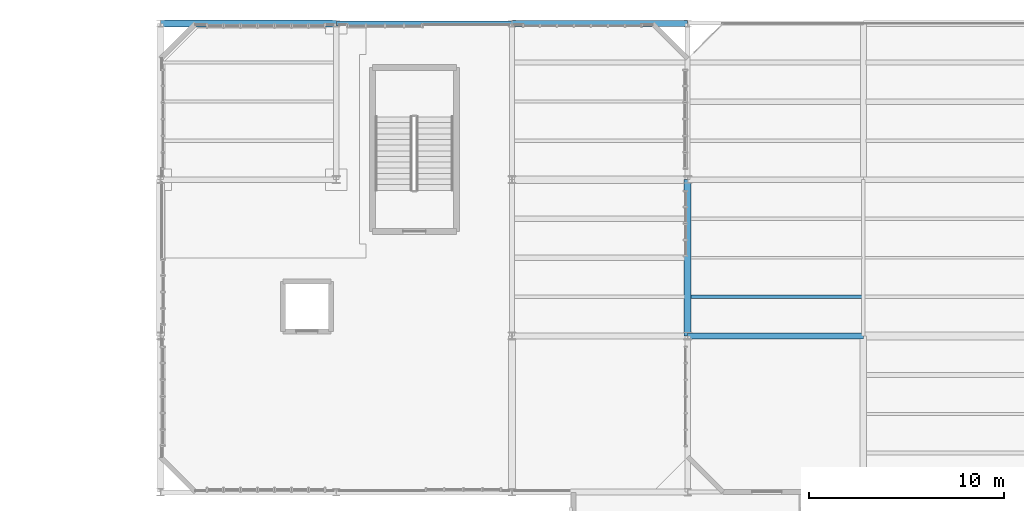
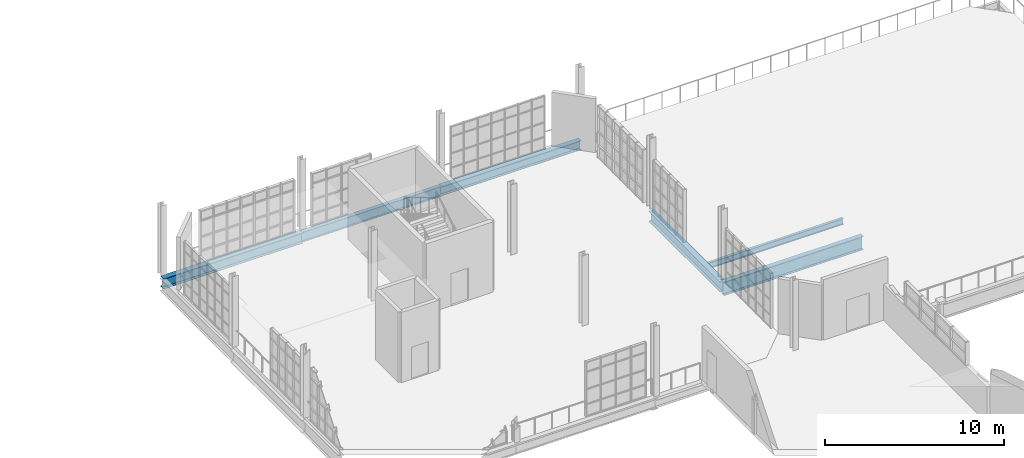
# One storey, part 51 of 85: 6 beams.
"""IFC4 building model written with IfcOpenShell, lengths in metres."""

from ifc_helpers import new_model, si_unit, direction, frame, origin, origin_2d, place, context, subcontext, project, spatial, i_section, extrude, material, material_profile, profile_set, type_object, element, save


model = new_model("IFC4")

# Units and contexts
model_context = context("Model", 3, precision=1e-05, world=origin(), true_north=direction((0.0, 1.0)))
body_context = subcontext(model_context, "Body", "Model", "MODEL_VIEW")
ifc_project = project(units=[si_unit("LENGTHUNIT", "METRE"), si_unit("AREAUNIT", "SQUARE_METRE"), si_unit("VOLUMEUNIT", "CUBIC_METRE"), si_unit("PLANEANGLEUNIT", "RADIAN"), si_unit("MASSUNIT", "GRAM", prefix="KILO"), si_unit("THERMODYNAMICTEMPERATUREUNIT", "KELVIN"), si_unit("POWERUNIT", "WATT")], contexts=[model_context])

# Site, building, storey
site_placement = place(None, origin())
site = spatial("IfcSite", under=ifc_project, at=site_placement, CompositionType="ELEMENT")
building_placement = place(site_placement, origin())
building = spatial("IfcBuilding", under=site, at=building_placement, Name="Zelmaris Science Centre", CompositionType="ELEMENT")
storey_placement = place(building_placement, frame((0.0, 0.0, 20.39990234375)))
storey = spatial("IfcBuildingStorey", under=building, at=storey_placement, Name="L04", CompositionType="ELEMENT", Elevation=20.39990234375)

# Beams
ifc_material = material(Name="Steel ASTM A992 Grade 50", Category="steel")
ifc_material_profile_1 = material_profile(ifc_material, i_section(OverallWidth=0.304931640625, OverallDepth=0.912109375, WebThickness=0.015869140625, FlangeThickness=0.02392578125, FilletRadius=0.02392578125, at=origin_2d()), Name="W36X150")
ifc_profile_set_1 = profile_set([ifc_material_profile_1], Name="Steel ASTM A992 Grade 50")
beam_type_1 = type_object("IfcBeamType", Name="Beam G-27 W36X150", PredefinedType="BEAM", material=ifc_profile_set_1)
beam_1_placement = place(storey_placement, frame((81.0, 72.0, -0.705810546875), z_axis=(1.0, 0.0, 0.0), x_axis=(0.0, 1.0, 0.0)))
element("IfcBeam", 1, at=beam_1_placement, inside=storey, type_object=beam_type_1, Name="L04 East-west girder 853", PredefinedType="BEAM", context=body_context, shape_type="SweptSolid", body=[
    extrude(i_section(OverallWidth=0.304931640625, OverallDepth=0.912109375, WebThickness=0.015869140625, FlangeThickness=0.02392578125, FilletRadius=0.02392578125, at=origin_2d()), origin(), (0.0, 0.0, 1.0), 9.0),
])
ifc_material_profile_2 = material_profile(ifc_material, i_section(OverallWidth=0.35595703125, OverallDepth=0.700927734375, WebThickness=0.016845703125, FlangeThickness=0.02734375, FilletRadius=0.01806640625, at=origin_2d()), Name="W27X161")
ifc_profile_set_2 = profile_set([ifc_material_profile_2], Name="Steel ASTM A992 Grade 50")
beam_type_2 = type_object("IfcBeamType", Name="Beam G-35 W27X161", PredefinedType="BEAM", material=ifc_profile_set_2)
beam_2_placement = place(storey_placement, frame((81.0, 72.0, -0.600341796875), z_axis=(0.0, 1.0, 0.0), x_axis=(-1.0, 0.0, 0.0)))
element("IfcBeam", 2, at=beam_2_placement, inside=storey, type_object=beam_type_2, Name="L04 North-south girder 830", PredefinedType="BEAM", context=body_context, shape_type="SweptSolid", body=[
    extrude(i_section(OverallWidth=0.35595703125, OverallDepth=0.700927734375, WebThickness=0.016845703125, FlangeThickness=0.02734375, FilletRadius=0.01806640625, at=origin_2d()), origin(), (0.0, 0.0, 1.0), 8.0),
])
beam_3_placement = place(storey_placement, frame((54.0, 88.0, -0.600341796875), z_axis=(1.0, 0.0, 0.0), x_axis=(0.0, 1.0, 0.0)))
element("IfcBeam", 3, at=beam_3_placement, inside=storey, type_object=beam_type_2, Name="L04 East-west girder 861", PredefinedType="BEAM", context=body_context, shape_type="SweptSolid", body=[
    extrude(i_section(OverallWidth=0.35595703125, OverallDepth=0.700927734375, WebThickness=0.016845703125, FlangeThickness=0.02734375, FilletRadius=0.01806640625, at=origin_2d()), origin(), (0.0, 0.0, 1.0), 9.0),
])
ifc_material_profile_3 = material_profile(ifc_material, i_section(OverallWidth=0.25390625, OverallDepth=0.677978515625, WebThickness=0.01171875, FlangeThickness=0.016357421875, FilletRadius=0.01806640625, at=origin_2d()), Name="W27X84")
ifc_profile_set_3 = profile_set([ifc_material_profile_3], Name="Steel ASTM A992 Grade 50")
beam_type_3 = type_object("IfcBeamType", Name="Beam G-36 W27X84", PredefinedType="BEAM", material=ifc_profile_set_3)
beam_4_placement = place(storey_placement, frame((63.0, 88.0, -0.5888671875), z_axis=(1.0, 0.0, 0.0), x_axis=(0.0, 1.0, 0.0)))
element("IfcBeam", 4, at=beam_4_placement, inside=storey, type_object=beam_type_3, Name="L04 East-west girder 862", PredefinedType="BEAM", context=body_context, shape_type="SweptSolid", body=[
    extrude(i_section(OverallWidth=0.25390625, OverallDepth=0.677978515625, WebThickness=0.01171875, FlangeThickness=0.016357421875, FilletRadius=0.01806640625, at=origin_2d()), origin(), (0.0, 0.0, 1.0), 9.0),
])
ifc_material_profile_4 = material_profile(ifc_material, i_section(OverallWidth=0.327880859375, OverallDepth=0.626953125, WebThickness=0.0166015625, FlangeThickness=0.027587890625, FilletRadius=0.014892578125, at=origin_2d()), Name="W24X146")
ifc_profile_set_4 = profile_set([ifc_material_profile_4], Name="Steel ASTM A992 Grade 50")
beam_type_4 = type_object("IfcBeamType", Name="Beam G-37 W24X146", PredefinedType="BEAM", material=ifc_profile_set_4)
beam_5_placement = place(storey_placement, frame((72.0, 88.0, -0.5634765625), z_axis=(1.0, 0.0, 0.0), x_axis=(0.0, 1.0, 0.0)))
element("IfcBeam", 5, at=beam_5_placement, inside=storey, type_object=beam_type_4, Name="L04 East-west girder 863", PredefinedType="BEAM", context=body_context, shape_type="SweptSolid", body=[
    extrude(i_section(OverallWidth=0.327880859375, OverallDepth=0.626953125, WebThickness=0.0166015625, FlangeThickness=0.027587890625, FilletRadius=0.014892578125, at=origin_2d()), origin(), (0.0, 0.0, 1.0), 9.0),
])
ifc_material_profile_5 = material_profile(ifc_material, i_section(OverallWidth=0.177978515625, OverallDepth=0.408935546875, WebThickness=0.0087890625, FlangeThickness=0.014404296875, FilletRadius=0.011962890625, at=origin_2d()), Name="W16X45")
ifc_profile_set_5 = profile_set([ifc_material_profile_5], Name="Steel ASTM A992 Grade 50")
beam_type_5 = type_object("IfcBeamType", Name="Beam J-07 W16X45", PredefinedType="JOIST", material=ifc_profile_set_5)
beam_6_placement = place(storey_placement, frame((81.1630859375, 74.0, -0.454345703125), z_axis=(1.0, 0.0, 0.0), x_axis=(0.0, 1.0, 0.0)))
element("IfcBeam", 6, at=beam_6_placement, inside=storey, type_object=beam_type_5, Name="L04 Composite floor joist 402", PredefinedType="JOIST", context=body_context, shape_type="SweptSolid", body=[
    extrude(i_section(OverallWidth=0.177978515625, OverallDepth=0.408935546875, WebThickness=0.0087890625, FlangeThickness=0.014404296875, FilletRadius=0.011962890625, at=origin_2d()), origin(), (0.0, 0.0, 1.0), 8.762939453125),
])

save(model, "model.ifc")
